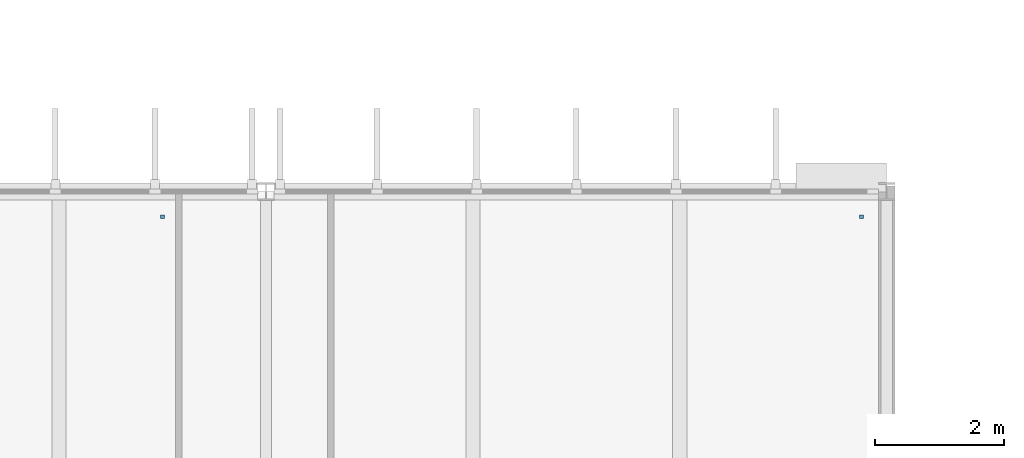
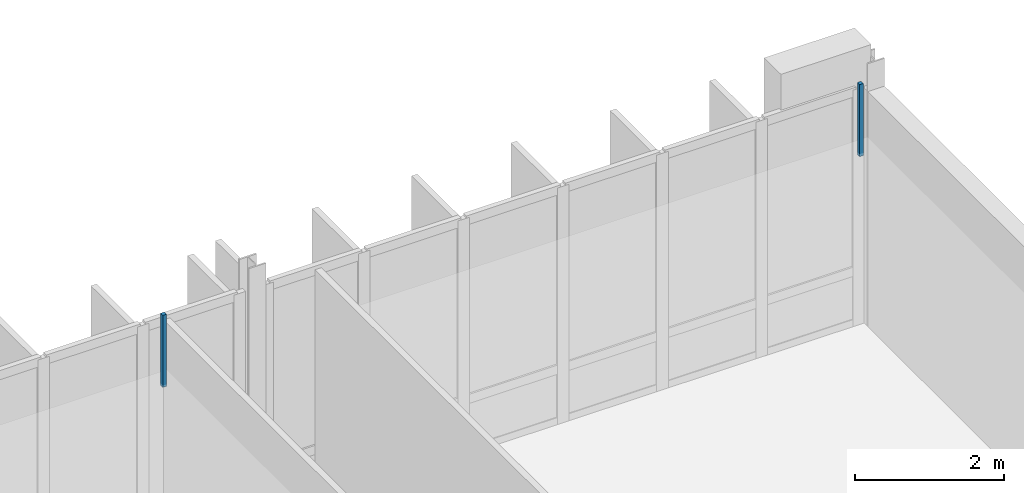
# One storey, part 49 of 59: 2 discrete accessories.
"""IFC4 building model written with IfcOpenShell, lengths in metres."""

from ifc_helpers import new_model, si_unit, direction, frame, origin, place, context, subcontext, project, spatial, polyline, outline, extrude, material, type_object, element, save


model = new_model("IFC4")

# Units and contexts
model_context = context("Model", 3, precision=1e-05, world=origin(), true_north=direction((0.0, 1.0)))
body_context = subcontext(model_context, "Body", "Model", "MODEL_VIEW")
ifc_project = project(units=[si_unit("LENGTHUNIT", "METRE"), si_unit("AREAUNIT", "SQUARE_METRE"), si_unit("VOLUMEUNIT", "CUBIC_METRE"), si_unit("PLANEANGLEUNIT", "RADIAN"), si_unit("MASSUNIT", "GRAM", prefix="KILO")], contexts=[model_context])

# Site, building, storey
site_placement = place(None, origin())
site = spatial("IfcSite", under=ifc_project, at=site_placement, CompositionType="ELEMENT")
building_placement = place(site_placement, origin())
building = spatial("IfcBuilding", under=site, at=building_placement, Name="Dunescarp Central Library", CompositionType="ELEMENT")
storey_placement = place(building_placement, frame((0.0, 0.0, 18.60009765625)))
storey = spatial("IfcBuildingStorey", under=building, at=storey_placement, Name="L04", CompositionType="ELEMENT", Elevation=18.60009765625)

# Discrete accessories
ifc_material = material(Name="Stainless steel Grade 316L", Category="steel")
discrete_accessory_type = type_object("IfcDiscreteAccessoryType", Name="ARC-ACC-BRK", PredefinedType="BRACKET", material=ifc_material)
discrete_accessory_1_placement = place(storey_placement, frame((0.0, 0.0, 3.059814453125)))
element("IfcDiscreteAccessory", 1, at=discrete_accessory_1_placement, inside=storey, type_object=discrete_accessory_type, Name="L04 ceiling hanger CLG-L04-080-H2", PredefinedType="BRACKET", context=body_context, shape_type="SweptSolid", body=[
    extrude(outline(polyline([(76.3798828125, 36.3798828125), (76.43994140625, 36.3798828125), (76.43994140625, 36.43994140625), (76.3798828125, 36.43994140625), (76.3798828125, 36.3798828125)])), origin(), (0.0, 0.0, 1.0), 1.18017578125),
])
discrete_accessory_2_placement = place(storey_placement, frame((0.0, 0.0, 3.059814453125)))
element("IfcDiscreteAccessory", 2, at=discrete_accessory_2_placement, inside=storey, type_object=discrete_accessory_type, Name="L04 ceiling hanger CLG-L04-082-H2", PredefinedType="BRACKET", context=body_context, shape_type="SweptSolid", body=[
    extrude(outline(polyline([(65.570068359375, 36.3798828125), (65.6298828125, 36.3798828125), (65.6298828125, 36.43994140625), (65.570068359375, 36.43994140625), (65.570068359375, 36.3798828125)])), origin(), (0.0, 0.0, 1.0), 1.18017578125),
])

save(model, "model.ifc")
